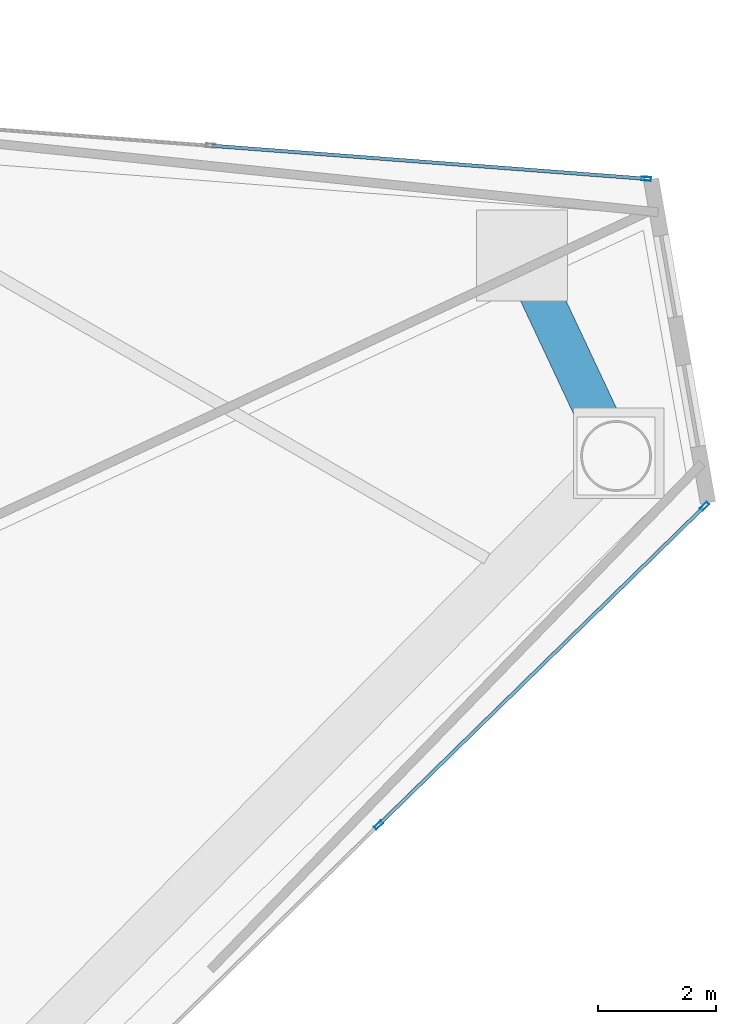
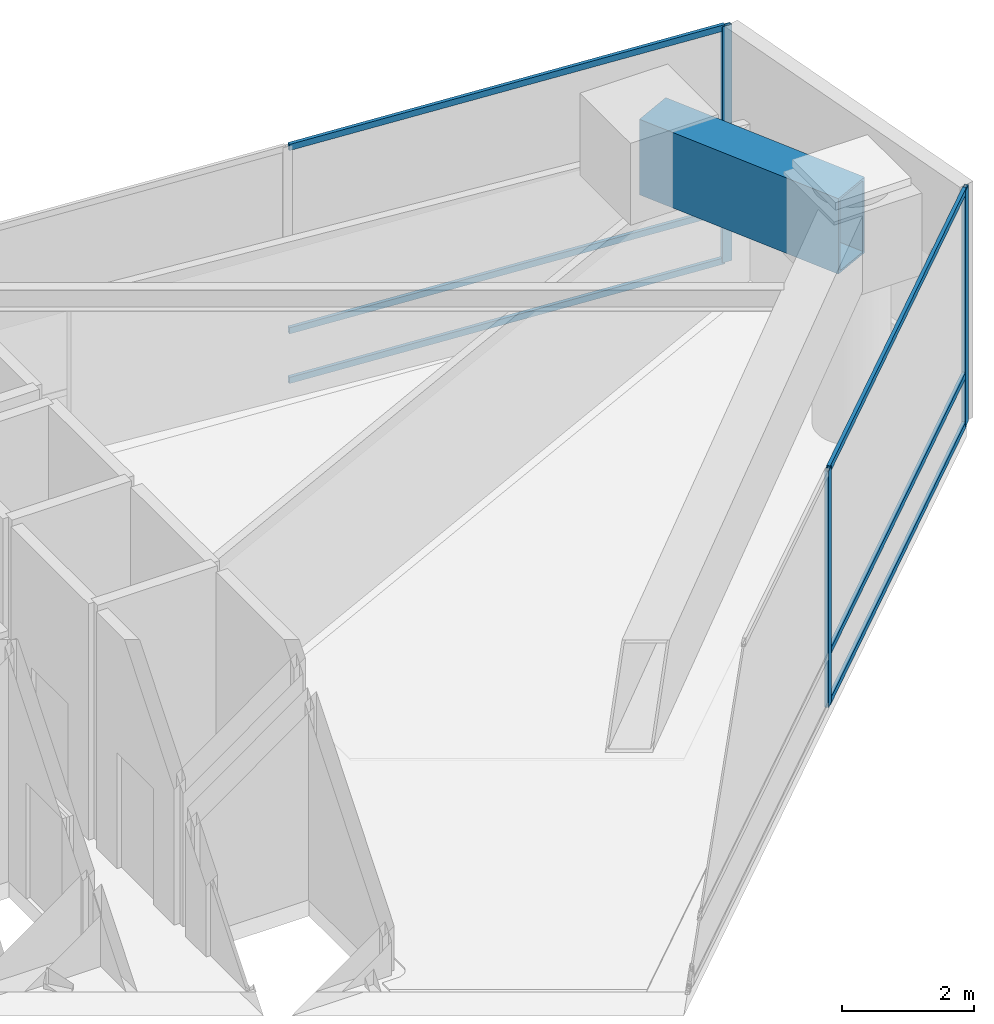
# One storey, part 14 of 20: 9 members, 1 beam, 2 elements without a shape of their own.
"""IFC4 building model written with IfcOpenShell, lengths in metres."""

import ifcopenshell
import ifcopenshell.guid

model = None  # the IFC model being written
_history = None  # IfcOwnerHistory: only IFC2X3 demands one
_inside = {}  # id of a spatial element -> (the spatial element, [elements in it])
_under = {}  # id of a project, library or spatial element -> (it, [spatial elements below it])
_declared = {}  # id of a project -> (the project, [libraries it declares])
_typed = {}  # id of a type object -> (the type object, [elements of that type])
_made_of = {}  # id of a material, layer set ... -> (it, [elements and type objects made of it])


def new_model(schema):
    """Start an empty IFC model of exactly this schema.

    Asked for "IFC4X3", IfcOpenShell would pick the latest addendum, in which some entities
    have other attributes; the version numbers below select the first issue.
    IFC2X3 requires an IfcOwnerHistory on every rooted entity: one is made here for all.
    """
    global model, _history
    if schema == "IFC4X3":
        model = ifcopenshell.file(schema_version=(4, 3, 0, 0))
    else:
        model = ifcopenshell.file(schema=schema)
    _inside.clear()
    _under.clear()
    _declared.clear()
    _typed.clear()
    _made_of.clear()
    _history = None
    if model.schema == "IFC2X3":
        org = make("IfcOrganization", Name="unknown")
        user = make(
            "IfcPersonAndOrganization",
            ThePerson=make("IfcPerson", FamilyName="unknown"),
            TheOrganization=org,
        )
        app = make(
            "IfcApplication",
            ApplicationDeveloper=org,
            Version="unknown",
            ApplicationFullName="unknown",
            ApplicationIdentifier="unknown",
        )
        _history = make(
            "IfcOwnerHistory",
            OwningUser=user,
            OwningApplication=app,
            ChangeAction="ADDED",
            CreationDate=0,
        )
    return model


def make(cls, **values):
    """One entity of the class cls with the attributes given. An attribute that is None is left unset."""
    return model.create_entity(
        cls, **{name: value for name, value in values.items() if value is not None}
    )


def rooted(cls, **values):
    """An entity with a GlobalId (a new one), such as an element, a storey or a relation."""
    return make(cls, GlobalId=ifcopenshell.guid.new(), OwnerHistory=_history, **values)


def si_unit(unit_type, name, prefix=None):
    """IfcSIUnit, for example si_unit("LENGTHUNIT", "METRE", prefix="MILLI")."""
    return make("IfcSIUnit", UnitType=unit_type, Prefix=prefix, Name=name)


def assignment(units):
    """IfcUnitAssignment: the units of a project."""
    return None if units is None else make("IfcUnitAssignment", Units=units)


def point(xyz):
    """IfcCartesianPoint."""
    return None if xyz is None else make("IfcCartesianPoint", Coordinates=xyz)


def direction(xyz):
    """IfcDirection."""
    return None if xyz is None else make("IfcDirection", DirectionRatios=xyz)


def frame(location, z_axis=None, x_axis=None):
    """IfcAxis2Placement3D, a coordinate frame: its origin and axes. An axis left out is left unset."""
    return make(
        "IfcAxis2Placement3D",
        Location=point(location),
        Axis=direction(z_axis),
        RefDirection=direction(x_axis),
    )


def frame_2d(location, x_axis=None):
    """IfcAxis2Placement2D, a coordinate frame in the plane: its origin and x axis."""
    return make(
        "IfcAxis2Placement2D", Location=point(location), RefDirection=direction(x_axis)
    )


def origin():
    """The frame at (0, 0, 0) with its axes left unset."""
    return frame((0.0, 0.0, 0.0))


def origin_2d():
    """The frame at (0, 0) in the plane with its x axis left unset."""
    return frame_2d((0.0, 0.0))


def place(relative_to, where):
    """IfcLocalPlacement: puts the frame where relative to a parent placement (None: the world)."""
    return make(
        "IfcLocalPlacement", PlacementRelTo=relative_to, RelativePlacement=where
    )


def context(
    kind, dimensions, precision=None, world=None, true_north=None, identifier=None
):
    """IfcGeometricRepresentationContext, for example the 3D "Model" context."""
    return make(
        "IfcGeometricRepresentationContext",
        ContextIdentifier=identifier,
        ContextType=kind,
        CoordinateSpaceDimension=dimensions,
        Precision=precision,
        WorldCoordinateSystem=world,
        TrueNorth=true_north,
    )


def subcontext(parent, identifier, kind, view, scale=None):
    """IfcGeometricRepresentationSubContext, for example "Body" below "Model"."""
    return make(
        "IfcGeometricRepresentationSubContext",
        ContextIdentifier=identifier,
        ContextType=kind,
        ParentContext=parent,
        TargetScale=scale,
        TargetView=view,
    )


def project(units=None, contexts=None):
    """IfcProject with its units and contexts."""
    return rooted(
        "IfcProject",
        Name="project",
        RepresentationContexts=contexts,
        UnitsInContext=assignment(units),
    )


def spatial(cls, under=None, at=None, **own):
    """A site, building, storey or space (cls), placed at a placement, below another one or the project."""
    s = rooted(cls, ObjectPlacement=at, **own)
    if under is not None:
        _under.setdefault(under.id(), (under, []))[1].append(s)
    return s


def profile(cls, at=None, kind="AREA", **sizes):
    """A parametric profile (cls). Its sizes go by their IFC names, for example OverallWidth=200.0."""
    return make(cls, ProfileType=kind, Position=at, **sizes)


def hollow_rectangle(**sizes):
    """IfcRectangleHollowProfileDef."""
    return profile("IfcRectangleHollowProfileDef", **sizes)


def extrude(swept, where, along, depth):
    """IfcExtrudedAreaSolid: the profile swept, set in the frame where, extruded along a direction by depth."""
    return make(
        "IfcExtrudedAreaSolid",
        SweptArea=swept,
        Position=where,
        ExtrudedDirection=direction(along),
        Depth=depth,
    )


def shape(context_of_items, identifier, shape_type, items):
    """IfcShapeRepresentation: the items that make up one representation, for example the "Body"."""
    return make(
        "IfcShapeRepresentation",
        ContextOfItems=context_of_items,
        RepresentationIdentifier=identifier,
        RepresentationType=shape_type,
        Items=items,
    )


def material(Name=None, Category=None):
    """IfcMaterial."""
    return make("IfcMaterial", Name=Name, Category=Category)


def layer(
    of_material, thickness, ventilated=None, Name=None, Category=None, Priority=None
):
    """IfcMaterialLayer: one layer of a wall or slab, of a material (None: an air gap)."""
    return make(
        "IfcMaterialLayer",
        Material=of_material,
        LayerThickness=thickness,
        IsVentilated=ventilated,
        Name=Name,
        Category=Category,
        Priority=Priority,
    )


def layer_set(layers, Name=None):
    """IfcMaterialLayerSet."""
    return make("IfcMaterialLayerSet", MaterialLayers=layers, LayerSetName=Name)


def material_profile(
    of_material, cross_section, Name=None, Category=None, Priority=None
):
    """IfcMaterialProfile: a cross section and its material."""
    return make(
        "IfcMaterialProfile",
        Name=Name,
        Material=of_material,
        Profile=cross_section,
        Priority=Priority,
        Category=Category,
    )


def profile_set(profiles, Name=None, composite=None):
    """IfcMaterialProfileSet."""
    return make(
        "IfcMaterialProfileSet",
        Name=Name,
        MaterialProfiles=profiles,
        CompositeProfile=composite,
    )


def made_of(thing, what):
    """Note that an element or type object is made of a material, layer set ...; save() writes the relation."""
    if what is not None:
        _made_of.setdefault(what.id(), (what, []))[1].append(thing)
    return thing


def type_object(cls, material=None, **own):
    """A type object (cls), such as IfcWallType, which elements share."""
    return made_of(rooted(cls, **own), material)


def element(
    cls,
    number,
    at=None,
    inside=None,
    cuts=None,
    type_object=None,
    material=None,
    context=None,
    identifier="Body",
    shape_type=None,
    held_by="IfcProductDefinitionShape",
    body=None,
    shapes=None,
    **own,
):
    """One element of the class cls, such as IfcWall. Its Tag is "e" and its number.

    at: its placement. inside: the storey or other place that contains it. cuts: it is an
    opening in that element (IfcRelVoidsElement). A single representation is given by context,
    identifier, shape_type and body (its items); several are given by shapes. held_by: the class
    of the entity that holds the representations. save() writes the other relations.
    """
    e = rooted(cls, Tag="e%d" % number, ObjectPlacement=at, **own)
    if body is not None:
        shapes = [shape(context, identifier, shape_type, body)]
    if shapes is not None:
        e.Representation = make(held_by, Representations=shapes)
    if inside is not None:
        _inside.setdefault(inside.id(), (inside, []))[1].append(e)
    if cuts is not None:
        rooted(
            "IfcRelVoidsElement", RelatingBuildingElement=cuts, RelatedOpeningElement=e
        )
    if type_object is not None:
        _typed.setdefault(type_object.id(), (type_object, []))[1].append(e)
    return made_of(e, material)


def aggregate(whole, parts):
    """IfcRelAggregates: a whole, such as a stair, and the parts it consists of."""
    return rooted("IfcRelAggregates", RelatingObject=whole, RelatedObjects=parts)


def save(model, path):
    """Write the relations noted so far, then the file.

    IfcRelAggregates (storeys below a building ...), IfcRelContainedInSpatialStructure (elements
    in a storey), IfcRelDefinesByType, IfcRelAssociatesMaterial and IfcRelDeclares: one each for
    every whole, place, type object, material and project.
    """
    for whole, parts in _under.values():
        aggregate(whole, parts)
    for where, things in _inside.values():
        rooted(
            "IfcRelContainedInSpatialStructure",
            RelatedElements=things,
            RelatingStructure=where,
        )
    for kind, things in _typed.values():
        rooted("IfcRelDefinesByType", RelatedObjects=things, RelatingType=kind)
    for what, things in _made_of.values():
        rooted("IfcRelAssociatesMaterial", RelatedObjects=things, RelatingMaterial=what)
    for by, libraries in _declared.values():
        rooted("IfcRelDeclares", RelatingContext=by, RelatedDefinitions=libraries)
    model.write(path)


model = new_model("IFC4")

# Units and contexts
model_context = context("Model", 3, precision=1e-05, world=origin(), true_north=direction((0.0, 1.0)))
body_context = subcontext(model_context, "Body", "Model", "MODEL_VIEW")
ifc_project = project(units=[si_unit("LENGTHUNIT", "METRE"), si_unit("AREAUNIT", "SQUARE_METRE"), si_unit("VOLUMEUNIT", "CUBIC_METRE"), si_unit("PLANEANGLEUNIT", "RADIAN"), si_unit("MASSUNIT", "GRAM", prefix="KILO")], contexts=[model_context])

# Site, building, storey
site_placement = place(None, origin())
site = spatial("IfcSite", under=ifc_project, at=site_placement, CompositionType="ELEMENT")
building_placement = place(site_placement, origin())
building = spatial("IfcBuilding", under=site, at=building_placement, Name="Qianvela Tower", CompositionType="ELEMENT")
storey_placement = place(building_placement, frame((0.0, 0.0, 229.89990234375)))
storey = spatial("IfcBuildingStorey", under=building, at=storey_placement, Name="L59", CompositionType="ELEMENT", Elevation=229.89990234375)

# Beam
ifc_material_1 = material(Name="Steel Q420GJC", Category="steel")
ifc_material_profile_1 = material_profile(ifc_material_1, hollow_rectangle(XDim=0.699951171875, YDim=1.39990234375, WallThickness=0.0400390625, at=origin_2d()), Name="TG-BOX-1400x700x40")
ifc_profile_set_1 = profile_set([ifc_material_profile_1], Name="Steel Q420GJC")
beam_type = type_object("IfcBeamType", Name="BM-TG-STEP-1400", PredefinedType="BEAM", material=ifc_profile_set_1)
beam_placement = place(storey_placement, frame((56.89697265625, 31.27001953125, 3.677978515625), z_axis=(-0.42480738625, 0.905283759154, 0.0), x_axis=(-0.905283759154, -0.42480738625, 0.0)))
element("IfcBeam", 1, at=beam_placement, inside=storey, type_object=beam_type, Name="L59 Zone-Step Transfer Girder 1", PredefinedType="BEAM", context=body_context, shape_type="SweptSolid", body=[
    extrude(hollow_rectangle(XDim=0.699951171875, YDim=1.39990234375, WallThickness=0.0400390625, at=origin_2d()), origin(), (0.0, 0.0, 1.0), 3.683837890625),
])

# Curtain wall, member
ifc_material_2 = material(Name="Anodised Architectural Aluminium and Low-E Glass", Category="aluminium")
ifc_layer = layer(ifc_material_2, 0.159912109375)
ifc_layer_set = layer_set([ifc_layer], Name="Anodised Architectural Aluminium and Low-E Glass")
curtain_wall_type = type_object("IfcCurtainWallType", Name="CW-COLIV-Z56", PredefinedType="USERDEFINED", material=ifc_layer_set)
curtain_wall_1_placement = place(storey_placement, origin())
curtain_wall_1 = element("IfcCurtainWall", 2, at=curtain_wall_1_placement, inside=storey, type_object=curtain_wall_type, Name="L59 CW-COLIV-Z56 Curtain Wall 02A", ObjectType="CURTAIN_WALL_SYSTEM", PredefinedType="USERDEFINED")
ifc_material_3 = material(Name="Anodised Architectural Aluminium 6063-T6", Category="aluminium")
ifc_material_profile_2 = material_profile(ifc_material_3, hollow_rectangle(XDim=0.06494140625, YDim=0.159912109375, WallThickness=0.0048828125, at=origin_2d()), Name="ALU-MULL-65x160")
ifc_profile_set_2 = profile_set([ifc_material_profile_2], Name="Anodised Architectural Aluminium 6063-T6")
member_type_1 = type_object("IfcMemberType", Name="CW-COLIV-Z56-MULL", PredefinedType="MULLION", material=ifc_profile_set_2)
member_1_placement = place(storey_placement, frame((57.407958984375, 35.966796875, 0.0), z_axis=(0.0, 0.0, 1.0), x_axis=(-0.075897826699, -0.99711560007, 0.0)))
member_1 = element("IfcMember", 3, at=member_1_placement, type_object=member_type_1, Name="CW-5 mullion 1", PredefinedType="MULLION", context=body_context, shape_type="SweptSolid", body=[
    extrude(hollow_rectangle(XDim=0.06494140625, YDim=0.159912109375, WallThickness=0.0048828125, at=origin_2d()), origin(), (0.0, 0.0, 1.0), 4.380126953125),
])

# Curtain wall, members
curtain_wall_2_placement = place(storey_placement, origin())
curtain_wall_2 = element("IfcCurtainWall", 4, at=curtain_wall_2_placement, inside=storey, type_object=curtain_wall_type, Name="L59 CW-COLIV-Z56 Curtain Wall 06C", ObjectType="CURTAIN_WALL_SYSTEM", PredefinedType="USERDEFINED")
member_2_placement = place(storey_placement, frame((52.87109375, 25.01611328125, 0.0), z_axis=(0.0, 0.0, 1.0), x_axis=(-0.699077512028, 0.715045895154, 0.0)))
member_2 = element("IfcMember", 5, at=member_2_placement, type_object=member_type_1, Name="CW-5 mullion 2", PredefinedType="MULLION", context=body_context, shape_type="SweptSolid", body=[
    extrude(hollow_rectangle(XDim=0.06494140625, YDim=0.159912109375, WallThickness=0.0048828125, at=origin_2d()), origin(), (0.0, 0.0, 1.0), 4.380126953125),
])
member_3_placement = place(storey_placement, frame((58.39599609375, 30.417724609375, 0.0), z_axis=(0.0, 0.0, 1.0), x_axis=(-0.699077512028, 0.715045895154, 0.0)))
member_3 = element("IfcMember", 6, at=member_3_placement, type_object=member_type_1, Name="CW-5 mullion 3", PredefinedType="MULLION", context=body_context, shape_type="SweptSolid", body=[
    extrude(hollow_rectangle(XDim=0.06494140625, YDim=0.159912109375, WallThickness=0.0048828125, at=origin_2d()), origin(), (0.0, 0.0, 1.0), 4.380126953125),
])

# Member
ifc_material_4 = material(Name="Anodised Architectural Aluminium 6063-T6", Category="aluminium")
ifc_material_profile_3 = material_profile(ifc_material_4, hollow_rectangle(XDim=0.06005859375, YDim=0.114990234375, WallThickness=0.00390625, at=origin_2d()), Name="ALU-TRAN-60x115")
ifc_profile_set_3 = profile_set([ifc_material_profile_3], Name="Anodised Architectural Aluminium 6063-T6")
member_type_2 = type_object("IfcMemberType", Name="CW-COLIV-Z56-TRAN", PredefinedType="USERDEFINED", material=ifc_profile_set_3)
member_4_placement = place(storey_placement, frame((57.37548828125, 35.96923828125, 0.030029296875), z_axis=(-0.997115815695, 0.075894993847, 0.0), x_axis=(-0.075894993847, -0.997115815695, 0.0)))
member_4 = element("IfcMember", 7, at=member_4_placement, type_object=member_type_2, Name="CW-5 transom 1.1", ObjectType="TRANSOM", PredefinedType="USERDEFINED", context=body_context, shape_type="SweptSolid", body=[
    extrude(hollow_rectangle(XDim=0.06005859375, YDim=0.114990234375, WallThickness=0.00390625, at=origin_2d()), origin(), (0.0, 0.0, 1.0), 7.337646484375),
])

member_5_placement = place(storey_placement, frame((57.37548828125, 35.96923828125, 0.9501953125), z_axis=(-0.997115815695, 0.075894993847, 0.0), x_axis=(-0.075894993847, -0.997115815695, 0.0)))
member_5 = element("IfcMember", 8, at=member_5_placement, type_object=member_type_2, Name="CW-5 transom 1.2", ObjectType="TRANSOM", PredefinedType="USERDEFINED", context=body_context, shape_type="SweptSolid", body=[
    extrude(hollow_rectangle(XDim=0.06005859375, YDim=0.114990234375, WallThickness=0.00390625, at=origin_2d()), origin(), (0.0, 0.0, 1.0), 7.337646484375),
])

member_6_placement = place(storey_placement, frame((57.37548828125, 35.96923828125, 4.35009765625), z_axis=(-0.997115815695, 0.075894993847, 0.0), x_axis=(-0.075894993847, -0.997115815695, 0.0)))
member_6 = element("IfcMember", 9, at=member_6_placement, type_object=member_type_2, Name="CW-5 transom 1.3", ObjectType="TRANSOM", PredefinedType="USERDEFINED", context=body_context, shape_type="SweptSolid", body=[
    extrude(hollow_rectangle(XDim=0.06005859375, YDim=0.114990234375, WallThickness=0.00390625, at=origin_2d()), origin(), (0.0, 0.0, 1.0), 7.337646484375),
])

aggregate(curtain_wall_1, [member_1, member_4, member_5, member_6])

member_7_placement = place(storey_placement, frame((52.89453125, 25.038818359375, 0.030029296875), z_axis=(0.715028260896, 0.699095548634, 0.0), x_axis=(-0.699095548634, 0.715028260896, 0.0)))
member_7 = element("IfcMember", 10, at=member_7_placement, type_object=member_type_2, Name="CW-5 transom 2.1", ObjectType="TRANSOM", PredefinedType="USERDEFINED", context=body_context, shape_type="SweptSolid", body=[
    extrude(hollow_rectangle(XDim=0.06005859375, YDim=0.114990234375, WallThickness=0.00390625, at=origin_2d()), origin(), (0.0, 0.0, 1.0), 7.66162109375),
])

member_8_placement = place(storey_placement, frame((52.89453125, 25.038818359375, 0.9501953125), z_axis=(0.715028260896, 0.699095548634, 0.0), x_axis=(-0.699095548634, 0.715028260896, 0.0)))
member_8 = element("IfcMember", 11, at=member_8_placement, type_object=member_type_2, Name="CW-5 transom 2.2", ObjectType="TRANSOM", PredefinedType="USERDEFINED", context=body_context, shape_type="SweptSolid", body=[
    extrude(hollow_rectangle(XDim=0.06005859375, YDim=0.114990234375, WallThickness=0.00390625, at=origin_2d()), origin(), (0.0, 0.0, 1.0), 7.66162109375),
])

member_9_placement = place(storey_placement, frame((52.89453125, 25.038818359375, 4.35009765625), z_axis=(0.715028260896, 0.699095548634, 0.0), x_axis=(-0.699095548634, 0.715028260896, 0.0)))
member_9 = element("IfcMember", 12, at=member_9_placement, type_object=member_type_2, Name="CW-5 transom 2.3", ObjectType="TRANSOM", PredefinedType="USERDEFINED", context=body_context, shape_type="SweptSolid", body=[
    extrude(hollow_rectangle(XDim=0.06005859375, YDim=0.114990234375, WallThickness=0.00390625, at=origin_2d()), origin(), (0.0, 0.0, 1.0), 7.66162109375),
])

aggregate(curtain_wall_2, [member_2, member_3, member_7, member_8, member_9])

save(model, "model.ifc")
